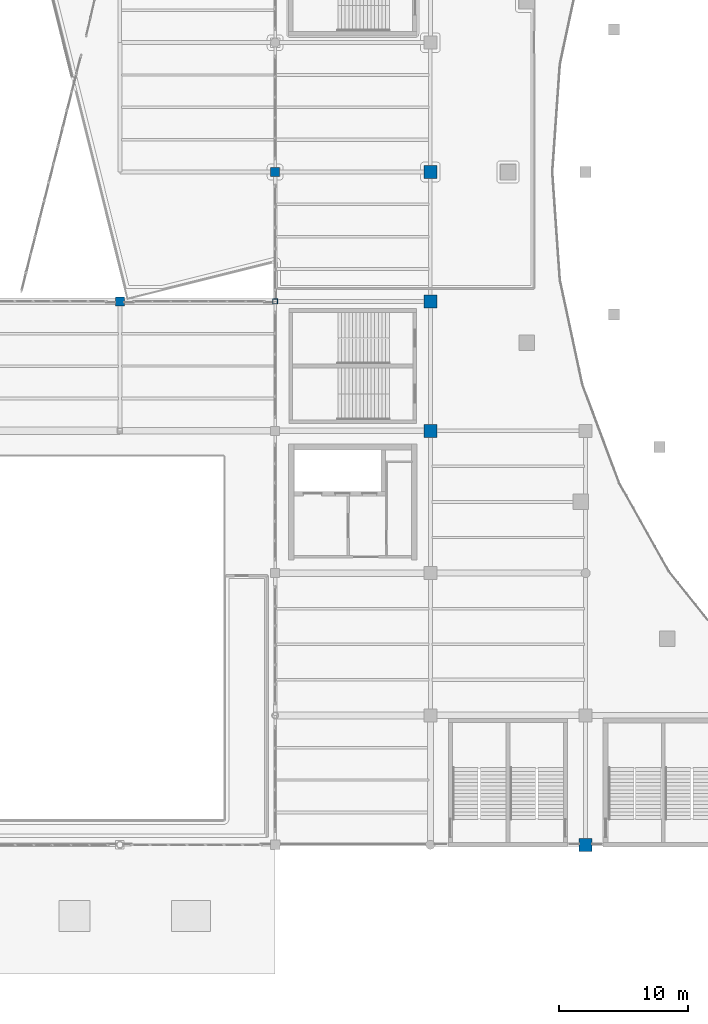
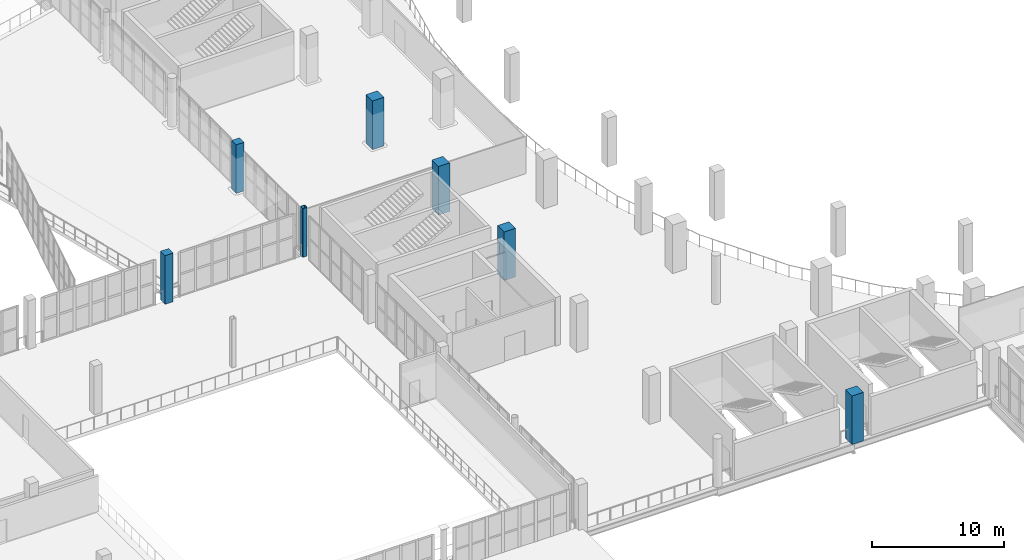
# One storey, part 4 of 108: 7 columns.
"""IFC4 building model written with IfcOpenShell, lengths in metres."""

from ifc_helpers import new_model, si_unit, direction, frame, origin, origin_2d, place, context, subcontext, project, spatial, rectangle, hollow_rectangle, extrude, material, material_profile, profile_set, type_object, element, save


model = new_model("IFC4")

# Units and contexts
model_context = context("Model", 3, precision=1e-05, world=origin(), true_north=direction((0.0, 1.0)))
body_context = subcontext(model_context, "Body", "Model", "MODEL_VIEW")
ifc_project = project(units=[si_unit("LENGTHUNIT", "METRE"), si_unit("AREAUNIT", "SQUARE_METRE"), si_unit("VOLUMEUNIT", "CUBIC_METRE"), si_unit("PLANEANGLEUNIT", "RADIAN"), si_unit("MASSUNIT", "GRAM", prefix="KILO")], contexts=[model_context])

# Site, building, storey
site_placement = place(None, origin())
site = spatial("IfcSite", under=ifc_project, at=site_placement, CompositionType="ELEMENT")
building_placement = place(site_placement, origin())
building = spatial("IfcBuilding", under=site, at=building_placement, Name="Brinegate Civic Arena", CompositionType="ELEMENT")
storey_placement = place(building_placement, frame((0.0, 0.0, 10.199951171875)))
storey = spatial("IfcBuildingStorey", under=building, at=storey_placement, Name="L02", CompositionType="ELEMENT", Elevation=10.199951171875)

# Columns
ifc_material_1 = material(Name="Concrete C50/60", Category="concrete")
ifc_material_profile_1 = material_profile(ifc_material_1, rectangle(XDim=1.0, YDim=1.0, at=origin_2d()), Name="RC1000X1000")
ifc_profile_set_1 = profile_set([ifc_material_profile_1], Name="Concrete C50/60")
column_type_1 = type_object("IfcColumnType", Name="COL-CC03-1000", PredefinedType="COLUMN", material=ifc_profile_set_1)
for number, where, z_axis, x_axis, name in (
    (1, (60.0, 42.0, 0.0), (0.0, 0.0, 1.0), (1.0, 0.0, 0.0), "Column COL-L02-6-E"),
    (2, (60.0, 52.0, 0.0), (0.0, 0.0, 1.0), (1.0, 0.0, 0.0), "Column COL-L02-6-F"),
    (3, (60.0, 62.0, 0.0), (0.0, 0.0, 1.0), (1.0, 0.0, 0.0), "Column COL-L02-6-G"),
    (4, (72.0, 10.0, 0.0), (0.0, 0.0, 1.0), (1.0, 0.0, 0.0), "Column COL-L02-7-B"),
):
    element("IfcColumn", number, at=place(storey_placement, frame(where, z_axis=z_axis, x_axis=x_axis)), inside=storey, type_object=column_type_1, Name=name, PredefinedType="COLUMN", context=body_context, shape_type="SweptSolid", body=[
        extrude(rectangle(XDim=1.0, YDim=1.0, at=origin_2d()), origin(), (0.0, 0.0, 1.0), 4.5),
    ])
ifc_material_profile_2 = material_profile(ifc_material_1, rectangle(XDim=0.699951171875, YDim=0.699951171875, at=origin_2d()), Name="RC700X700")
ifc_profile_set_2 = profile_set([ifc_material_profile_2], Name="Concrete C50/60")
column_type_2 = type_object("IfcColumnType", Name="COL-CC09-700", PredefinedType="COLUMN", material=ifc_profile_set_2)
for number, where, z_axis, x_axis, name in (
    (5, (36.0, 52.0, 0.0), (0.0, 0.0, 1.0), (1.0, 0.0, 0.0), "Column COL-L02-4-F"),
    (6, (48.0, 62.0, 0.0), (0.0, 0.0, 1.0), (1.0, 0.0, 0.0), "Column COL-L02-5-G"),
):
    element("IfcColumn", number, at=place(storey_placement, frame(where, z_axis=z_axis, x_axis=x_axis)), inside=storey, type_object=column_type_2, Name=name, PredefinedType="COLUMN", context=body_context, shape_type="SweptSolid", body=[
        extrude(rectangle(XDim=0.699951171875, YDim=0.699951171875, at=origin_2d()), origin(), (0.0, 0.0, 1.0), 4.5),
    ])
ifc_material_2 = material(Name="Steel S355", Category="steel")
ifc_material_profile_3 = material_profile(ifc_material_2, hollow_rectangle(XDim=0.39990234375, YDim=0.39990234375, WallThickness=0.02001953125, InnerFilletRadius=0.02001953125, OuterFilletRadius=0.0400390625, at=origin_2d()), Name="SHS400X20")
ifc_profile_set_3 = profile_set([ifc_material_profile_3], Name="Steel S355")
column_type_3 = type_object("IfcColumnType", Name="COL-SC03-SHS400", PredefinedType="COLUMN", material=ifc_profile_set_3)
column_placement = place(storey_placement, frame((48.0, 52.0, 0.0), z_axis=(0.0, 0.0, 1.0), x_axis=(1.0, 0.0, 0.0)))
element("IfcColumn", 7, at=column_placement, inside=storey, type_object=column_type_3, Name="Column COL-L02-5-F", PredefinedType="COLUMN", context=body_context, shape_type="SweptSolid", body=[
    extrude(hollow_rectangle(XDim=0.39990234375, YDim=0.39990234375, WallThickness=0.02001953125, InnerFilletRadius=0.02001953125, OuterFilletRadius=0.0400390625, at=origin_2d()), origin(), (0.0, 0.0, 1.0), 4.5),
])

save(model, "model.ifc")
